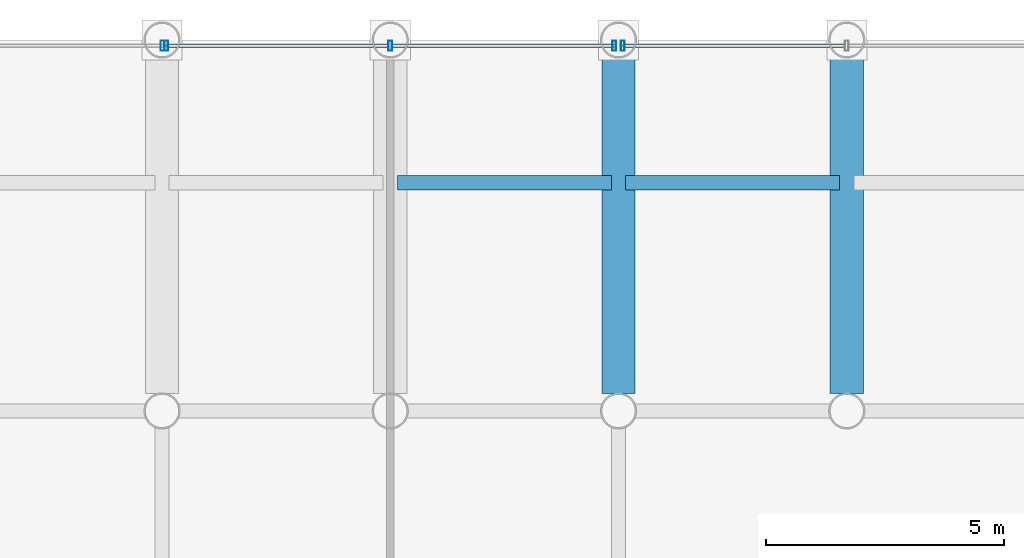
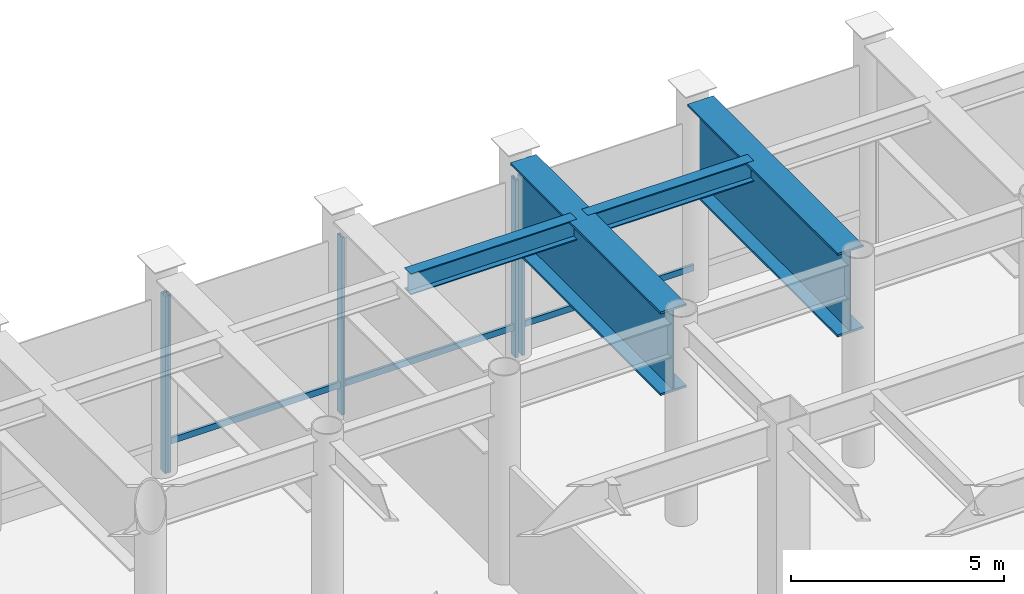
# One storey, part 12 of 26: 8 members, 4 beams, 3 elements without a shape of their own.
"""IFC4 building model written with IfcOpenShell, lengths in metres."""

from ifc_helpers import new_model, si_unit, direction, frame, origin, origin_2d, place, context, subcontext, project, spatial, hollow_rectangle, i_section, extrude, material, layer, layer_set, material_profile, profile_set, type_object, element, aggregate, save


model = new_model("IFC4")

# Units and contexts
model_context = context("Model", 3, precision=1e-05, world=origin(), true_north=direction((0.0, 1.0)))
body_context = subcontext(model_context, "Body", "Model", "MODEL_VIEW")
ifc_project = project(units=[si_unit("LENGTHUNIT", "METRE"), si_unit("AREAUNIT", "SQUARE_METRE"), si_unit("VOLUMEUNIT", "CUBIC_METRE"), si_unit("PLANEANGLEUNIT", "RADIAN"), si_unit("MASSUNIT", "GRAM", prefix="KILO")], contexts=[model_context])

# Site, building, storey
site_placement = place(None, origin())
site = spatial("IfcSite", under=ifc_project, at=site_placement, CompositionType="ELEMENT")
building_placement = place(site_placement, origin())
building = spatial("IfcBuilding", under=site, at=building_placement, Name="Kallvorn Hotel Tower", CompositionType="ELEMENT")
storey_placement = place(building_placement, frame((0.0, 0.0, 6.0)))
storey = spatial("IfcBuildingStorey", under=building, at=storey_placement, Name="L01", CompositionType="ELEMENT", Elevation=6.0)

# Beams
ifc_material_1 = material(Name="Structural steel S355JR", Category="steel")
ifc_material_profile_1 = material_profile(ifc_material_1, i_section(OverallWidth=0.300048828125, OverallDepth=0.60009765625, WebThickness=0.015380859375, FlangeThickness=0.030029296875, at=origin_2d()), Name="HE 600 B")
ifc_profile_set_1 = profile_set([ifc_material_profile_1], Name="Structural steel S355JR")
beam_type_1 = type_object("IfcBeamType", Name="BM_HE600B", PredefinedType="SPANDREL", material=ifc_profile_set_1)
for number, where, z_axis, x_axis, name in (
    (1, (0.14990234375, 24.0, 5.47998046875), (1.0, 0.0, 0.0), (0.0, 1.0, 0.0), "L02 Perimeter Spandrel 234"),
    (2, (4.949951171875, 24.0, 5.47998046875), (1.0, 0.0, 0.0), (0.0, 1.0, 0.0), "L02 Perimeter Spandrel 235"),
):
    element("IfcBeam", number, at=place(storey_placement, frame(where, z_axis=z_axis, x_axis=x_axis)), inside=storey, type_object=beam_type_1, Name=name, PredefinedType="SPANDREL", context=body_context, shape_type="SweptSolid", body=[
        extrude(i_section(OverallWidth=0.300048828125, OverallDepth=0.60009765625, WebThickness=0.015380859375, FlangeThickness=0.030029296875, at=origin_2d()), origin(), (0.0, 0.0, 1.0), 4.5),
    ])
ifc_material_2 = material(Name="Structural steel S355JR", Category="steel")
ifc_material_profile_2 = material_profile(ifc_material_2, i_section(OverallWidth=0.699951171875, OverallDepth=2.39990234375, WebThickness=0.031982421875, FlangeThickness=0.06005859375, at=origin_2d()), Name="PG 2400x700x32x60")
ifc_profile_set_2 = profile_set([ifc_material_profile_2], Name="Structural steel S355JR")
beam_type_2 = type_object("IfcBeamType", Name="BM_PG_2400", PredefinedType="BEAM", material=ifc_profile_set_2)
for number, where, z_axis, x_axis, name in (
    (3, (4.800048828125, 19.571044921875, 4.580078125), (0.0, 1.0, 0.0), (-1.0, 0.0, 0.0), "L02 Setback Transfer Girder 25"),
    (4, (9.60009765625, 19.571044921875, 4.580078125), (0.0, 1.0, 0.0), (-1.0, 0.0, 0.0), "L02 Setback Transfer Girder 27"),
):
    element("IfcBeam", number, at=place(storey_placement, frame(where, z_axis=z_axis, x_axis=x_axis)), inside=storey, type_object=beam_type_2, Name=name, PredefinedType="BEAM", context=body_context, shape_type="SweptSolid", body=[
        extrude(i_section(OverallWidth=0.699951171875, OverallDepth=2.39990234375, WebThickness=0.031982421875, FlangeThickness=0.06005859375, at=origin_2d()), origin(), (0.0, 0.0, 1.0), 7.057861328125),
    ])

# Curtain wall, member
ifc_material_3 = material(Name="Thermally broken black-anodised aluminium AA 6063-T6", Category="aluminium")
ifc_layer = layer(ifc_material_3, 0.239990234375)
ifc_layer_set = layer_set([ifc_layer], Name="CW_SYS_1_PODIUM_LOW")
curtain_wall_type = type_object("IfcCurtainWallType", Name="CW_SYS_1_PODIUM_LOW", PredefinedType="USERDEFINED", material=ifc_layer_set)
curtain_wall_1_placement = place(storey_placement, origin())
curtain_wall_1 = element("IfcCurtainWall", 5, at=curtain_wall_1_placement, inside=storey, type_object=curtain_wall_type, Name="L01 Dark-Glass Curtain Wall CW-L01-N1", ObjectType="UNITISED CURTAIN WALL", PredefinedType="USERDEFINED")
ifc_material_4 = material(Name="Thermally broken black-anodised aluminium AA 6063-T6", Category="aluminium")
ifc_material_profile_3 = material_profile(ifc_material_4, hollow_rectangle(XDim=0.080078125, YDim=0.219970703125, WallThickness=0.0048828125, at=origin_2d()), Name="MUL 220x80")
ifc_profile_set_3 = profile_set([ifc_material_profile_3], Name="Thermally broken black-anodised aluminium AA 6063-T6")
member_type_1 = type_object("IfcMemberType", Name="CW_MULLION_220x80", PredefinedType="MULLION", material=ifc_profile_set_3)
member_1_placement = place(storey_placement, frame((-4.7900390625, 26.8798828125, 0.02001953125), z_axis=(0.0, 0.0, 1.0), x_axis=(1.0, 0.0, 0.0)))
member_1 = element("IfcMember", 6, at=member_1_placement, type_object=member_type_1, Name="CW-L01-N1 Mullion 02", PredefinedType="MULLION", context=body_context, shape_type="SweptSolid", body=[
    extrude(hollow_rectangle(XDim=0.080078125, YDim=0.219970703125, WallThickness=0.0048828125, at=origin_2d()), origin(), (0.0, 0.0, 1.0), 5.090087890625),
])
aggregate(curtain_wall_1, [member_1])

# Curtain wall, members
curtain_wall_2_placement = place(storey_placement, origin())
curtain_wall_2 = element("IfcCurtainWall", 7, at=curtain_wall_2_placement, inside=storey, type_object=curtain_wall_type, Name="L01 Dark-Glass Curtain Wall CW-L01-N2", ObjectType="UNITISED CURTAIN WALL", PredefinedType="USERDEFINED")
member_2_placement = place(storey_placement, frame((-4.7099609375, 26.8798828125, 0.02001953125), z_axis=(0.0, 0.0, 1.0), x_axis=(1.0, 0.0, 0.0)))
member_2 = element("IfcMember", 8, at=member_2_placement, type_object=member_type_1, Name="CW-L01-N2 Mullion 00", PredefinedType="MULLION", context=body_context, shape_type="SweptSolid", body=[
    extrude(hollow_rectangle(XDim=0.080078125, YDim=0.219970703125, WallThickness=0.0048828125, at=origin_2d()), origin(), (0.0, 0.0, 1.0), 5.090087890625),
])
member_3_placement = place(storey_placement, frame((0.0, 26.8798828125, 0.02001953125), z_axis=(0.0, 0.0, 1.0), x_axis=(1.0, 0.0, 0.0)))
member_3 = element("IfcMember", 9, at=member_3_placement, type_object=member_type_1, Name="CW-L01-N2 Mullion 01", PredefinedType="MULLION", context=body_context, shape_type="SweptSolid", body=[
    extrude(hollow_rectangle(XDim=0.080078125, YDim=0.219970703125, WallThickness=0.0048828125, at=origin_2d()), origin(), (0.0, 0.0, 1.0), 5.090087890625),
])
member_4_placement = place(storey_placement, frame((4.7099609375, 26.8798828125, 0.02001953125), z_axis=(0.0, 0.0, 1.0), x_axis=(1.0, 0.0, 0.0)))
member_4 = element("IfcMember", 10, at=member_4_placement, type_object=member_type_1, Name="CW-L01-N2 Mullion 02", PredefinedType="MULLION", context=body_context, shape_type="SweptSolid", body=[
    extrude(hollow_rectangle(XDim=0.080078125, YDim=0.219970703125, WallThickness=0.0048828125, at=origin_2d()), origin(), (0.0, 0.0, 1.0), 5.090087890625),
])

# Curtain wall, member
curtain_wall_3_placement = place(storey_placement, origin())
curtain_wall_3 = element("IfcCurtainWall", 11, at=curtain_wall_3_placement, inside=storey, type_object=curtain_wall_type, Name="L01 Dark-Glass Curtain Wall CW-L01-N3", ObjectType="UNITISED CURTAIN WALL", PredefinedType="USERDEFINED")
member_5_placement = place(storey_placement, frame((4.889892578125, 26.8798828125, 0.02001953125), z_axis=(0.0, 0.0, 1.0), x_axis=(1.0, 0.0, 0.0)))
member_5 = element("IfcMember", 12, at=member_5_placement, type_object=member_type_1, Name="CW-L01-N3 Mullion 00", PredefinedType="MULLION", context=body_context, shape_type="SweptSolid", body=[
    extrude(hollow_rectangle(XDim=0.080078125, YDim=0.219970703125, WallThickness=0.0048828125, at=origin_2d()), origin(), (0.0, 0.0, 1.0), 5.090087890625),
])

# Member
ifc_material_5 = material(Name="Thermally broken black-anodised aluminium AA 6063-T6", Category="aluminium")
ifc_material_profile_4 = material_profile(ifc_material_5, hollow_rectangle(XDim=0.070068359375, YDim=0.179931640625, WallThickness=0.00390625, at=origin_2d()), Name="TRN 180x70")
ifc_profile_set_4 = profile_set([ifc_material_profile_4], Name="Thermally broken black-anodised aluminium AA 6063-T6")
member_type_2 = type_object("IfcMemberType", Name="CW_TRANSOM_180x70", PredefinedType="USERDEFINED", material=ifc_profile_set_4)
member_6_placement = place(storey_placement, frame((-4.7099609375, 26.8798828125, 0.85009765625), z_axis=(1.0, 0.0, 0.0), x_axis=(0.0, 1.0, 0.0)))
member_6 = element("IfcMember", 13, at=member_6_placement, type_object=member_type_2, Name="CW-L01-N2 Transom 00M", ObjectType="TRANSOM", PredefinedType="USERDEFINED", context=body_context, shape_type="SweptSolid", body=[
    extrude(hollow_rectangle(XDim=0.070068359375, YDim=0.179931640625, WallThickness=0.00390625, at=origin_2d()), origin(), (0.0, 0.0, 1.0), 4.669921875),
])

member_7_placement = place(storey_placement, frame((0.0400390625, 26.8798828125, 0.85009765625), z_axis=(1.0, 0.0, 0.0), x_axis=(0.0, 1.0, 0.0)))
member_7 = element("IfcMember", 14, at=member_7_placement, type_object=member_type_2, Name="CW-L01-N2 Transom 01M", ObjectType="TRANSOM", PredefinedType="USERDEFINED", context=body_context, shape_type="SweptSolid", body=[
    extrude(hollow_rectangle(XDim=0.070068359375, YDim=0.179931640625, WallThickness=0.00390625, at=origin_2d()), origin(), (0.0, 0.0, 1.0), 4.669921875),
])

aggregate(curtain_wall_2, [member_2, member_3, member_4, member_6, member_7])

member_8_placement = place(storey_placement, frame((4.889892578125, 26.8798828125, 0.85009765625), z_axis=(1.0, 0.0, 0.0), x_axis=(0.0, 1.0, 0.0)))
member_8 = element("IfcMember", 15, at=member_8_placement, type_object=member_type_2, Name="CW-L01-N3 Transom 00M", ObjectType="TRANSOM", PredefinedType="USERDEFINED", context=body_context, shape_type="SweptSolid", body=[
    extrude(hollow_rectangle(XDim=0.070068359375, YDim=0.179931640625, WallThickness=0.00390625, at=origin_2d()), origin(), (0.0, 0.0, 1.0), 4.670166015625),
])

aggregate(curtain_wall_3, [member_5, member_8])

save(model, "model.ifc")
